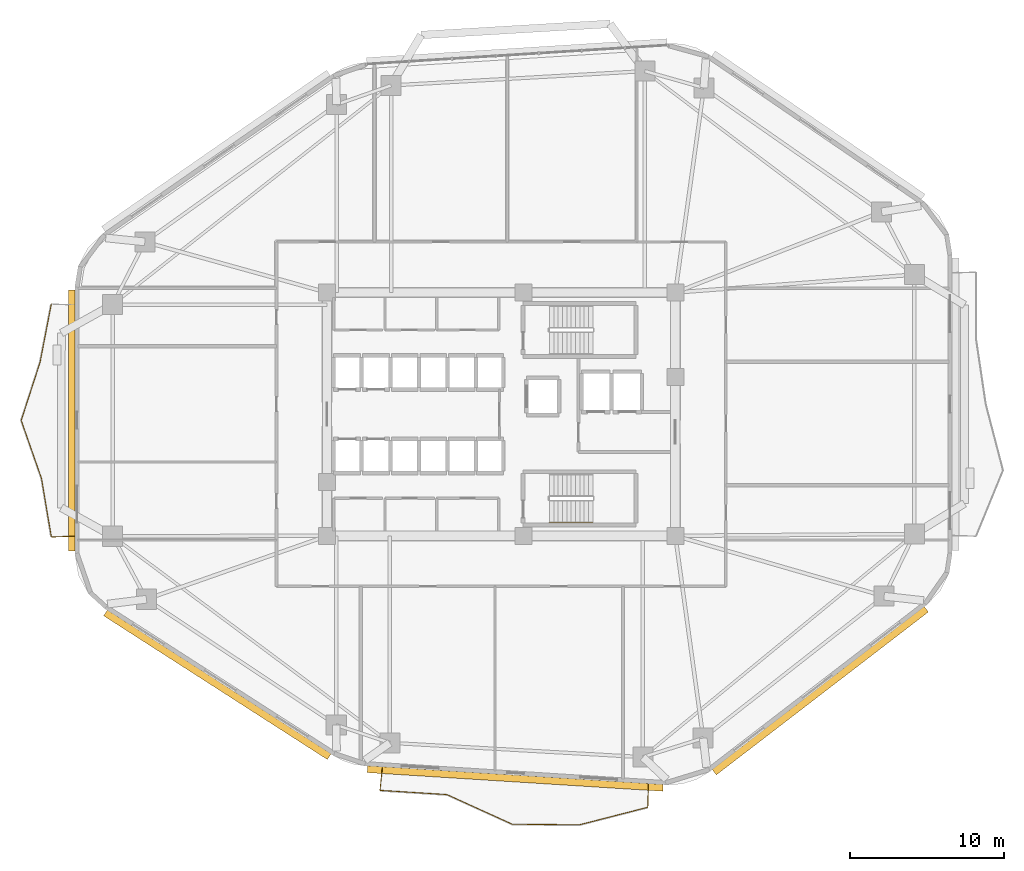
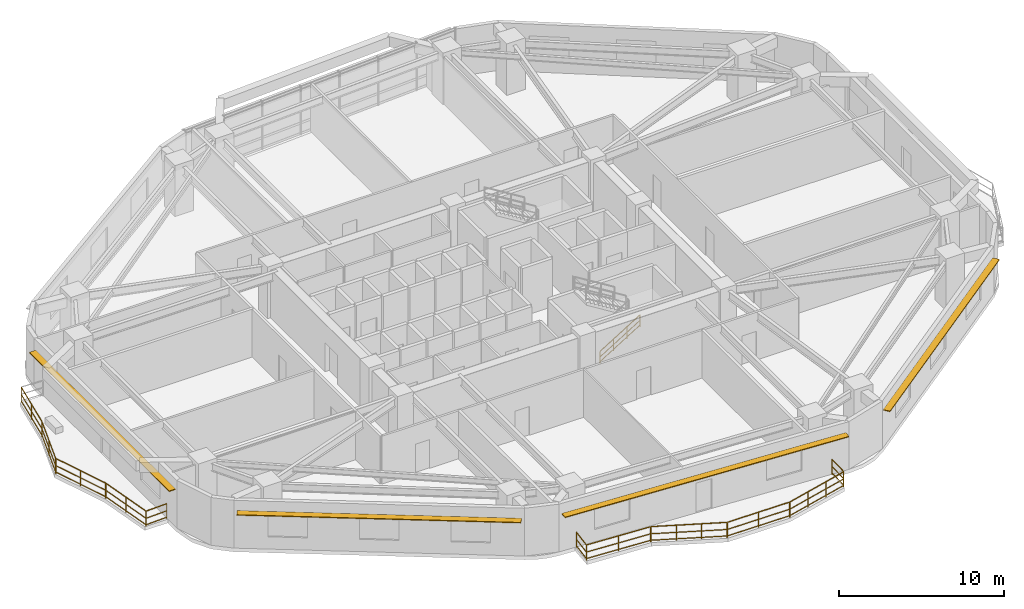
# One storey, part 11 of 14: 12 railings, 4 shading devices.
"""IFC4 building model written with IfcOpenShell, lengths in metres."""

from ifc_helpers import new_model, si_unit, direction, frame, origin, origin_2d, place, context, subcontext, project, spatial, rectangle, extrude, material, layer, layer_set, type_object, element, save


model = new_model("IFC4")

# Units and contexts
model_context = context("Model", 3, precision=1e-05, world=origin(), true_north=direction((0.0, 1.0)))
body_context = subcontext(model_context, "Body", "Model", "MODEL_VIEW")
ifc_project = project(units=[si_unit("LENGTHUNIT", "METRE"), si_unit("AREAUNIT", "SQUARE_METRE"), si_unit("VOLUMEUNIT", "CUBIC_METRE"), si_unit("PLANEANGLEUNIT", "RADIAN"), si_unit("MASSUNIT", "GRAM", prefix="KILO")], contexts=[model_context])

# Site, building, storey
site_placement = place(None, origin())
site = spatial("IfcSite", under=ifc_project, at=site_placement, CompositionType="ELEMENT")
building_placement = place(site_placement, origin())
building = spatial("IfcBuilding", under=site, at=building_placement, Name="Zulverin Broadcast Headquarters", CompositionType="ELEMENT")
storey_placement = place(building_placement, frame((0.0, 0.0, 55.39990234375)))
storey = spatial("IfcBuildingStorey", under=building, at=storey_placement, Name="L13", CompositionType="ELEMENT", Elevation=55.39990234375)

# Railings
ifc_material_1 = material(Name="Brushed stainless steel & laminated glass balustrade", Category="steel")
railing_type_1 = type_object("IfcRailingType", Name="RL-GUARD-1150", PredefinedType="GUARDRAIL", material=ifc_material_1)
railing_1_placement = place(storey_placement, frame((29.3076171875, 2.318603515625, 0.0)))
element("IfcRailing", 1, at=railing_1_placement, inside=storey, type_object=railing_type_1, Name="L13 Vertical-Forest Balcony Guardrail BAL_S Segment 01", PredefinedType="GUARDRAIL", context=body_context, shape_type="SweptSolid", body=[
    extrude(rectangle(XDim=0.048095703125, YDim=0.048095703125, at=origin_2d()), frame((0.0, 0.0, 1.1259765625), z_axis=(-0.103228615139, -0.99465765619, 0.0), x_axis=(0.99465765619, -0.103228615139, 0.0)), (0.0, 0.0, 1.0), 1.46630859375),
    extrude(rectangle(XDim=0.0419921875, YDim=0.0419921875, at=origin_2d()), frame((0.0, 0.0, 0.597900390625), z_axis=(-0.103228615139, -0.99465765619, 0.0), x_axis=(0.99465765619, -0.103228615139, 0.0)), (0.0, 0.0, 1.0), 1.46630859375),
    extrude(rectangle(XDim=0.0419921875, YDim=0.0419921875, at=origin_2d()), frame((0.0, 0.0, 0.1201171875), z_axis=(-0.103228615139, -0.99465765619, 0.0), x_axis=(0.99465765619, -0.103228615139, 0.0)), (0.0, 0.0, 1.0), 1.46630859375),
    extrude(rectangle(XDim=0.0419921875, YDim=0.0419921875, at=origin_2d()), origin(), (0.0, 0.0, 1.0), 1.101806640625),
    extrude(rectangle(XDim=0.0419921875, YDim=0.0419921875, at=origin_2d()), frame((-0.1513671875, -1.45849609375, 0.0)), (0.0, 0.0, 1.0), 1.101806640625),
])
railing_2_placement = place(storey_placement, frame((29.169677734375, 0.84423828125, 0.0)))
element("IfcRailing", 2, at=railing_2_placement, inside=storey, type_object=railing_type_1, Name="L13 Vertical-Forest Balcony Guardrail BAL_S Segment 02", PredefinedType="GUARDRAIL", context=body_context, shape_type="SweptSolid", body=[
    extrude(rectangle(XDim=0.048095703125, YDim=0.048095703125, at=origin_2d()), frame((0.0, 0.0, 1.1259765625), z_axis=(0.998014296805, -0.062987803365, 0.0), x_axis=(0.062987803365, 0.998014296805, 0.0)), (0.0, 0.0, 1.0), 4.31396484375),
    extrude(rectangle(XDim=0.0419921875, YDim=0.0419921875, at=origin_2d()), frame((0.0, 0.0, 0.597900390625), z_axis=(0.998014296805, -0.062987803365, 0.0), x_axis=(0.062987803365, 0.998014296805, 0.0)), (0.0, 0.0, 1.0), 4.31396484375),
    extrude(rectangle(XDim=0.0419921875, YDim=0.0419921875, at=origin_2d()), frame((0.0, 0.0, 0.1201171875), z_axis=(0.998014296805, -0.062987803365, 0.0), x_axis=(0.062987803365, 0.998014296805, 0.0)), (0.0, 0.0, 1.0), 4.31396484375),
    extrude(rectangle(XDim=0.0419921875, YDim=0.0419921875, at=origin_2d()), origin(), (0.0, 0.0, 1.0), 1.101806640625),
    extrude(rectangle(XDim=0.0419921875, YDim=0.0419921875, at=origin_2d()), frame((2.15283203125, -0.1357421875, 0.0)), (0.0, 0.0, 1.0), 1.101806640625),
    extrude(rectangle(XDim=0.0419921875, YDim=0.0419921875, at=origin_2d()), frame((4.305419921875, -0.271728515625, 0.0)), (0.0, 0.0, 1.0), 1.101806640625),
])
railing_3_placement = place(storey_placement, frame((33.50390625, 0.5654296875, 0.0)))
element("IfcRailing", 3, at=railing_3_placement, inside=storey, type_object=railing_type_1, Name="L13 Vertical-Forest Balcony Guardrail BAL_S Segment 03", PredefinedType="GUARDRAIL", context=body_context, shape_type="SweptSolid", body=[
    extrude(rectangle(XDim=0.048095703125, YDim=0.048095703125, at=origin_2d()), frame((0.0, 0.0, 1.1259765625), z_axis=(0.910639731455, -0.413201257859, 0.0), x_axis=(0.413201257859, 0.910639731455, 0.0)), (0.0, 0.0, 1.0), 4.616943359375),
    extrude(rectangle(XDim=0.0419921875, YDim=0.0419921875, at=origin_2d()), frame((0.0, 0.0, 0.597900390625), z_axis=(0.910639731455, -0.413201257859, 0.0), x_axis=(0.413201257859, 0.910639731455, 0.0)), (0.0, 0.0, 1.0), 4.616943359375),
    extrude(rectangle(XDim=0.0419921875, YDim=0.0419921875, at=origin_2d()), frame((0.0, 0.0, 0.1201171875), z_axis=(0.910639731455, -0.413201257859, 0.0), x_axis=(0.413201257859, 0.910639731455, 0.0)), (0.0, 0.0, 1.0), 4.616943359375),
    extrude(rectangle(XDim=0.0419921875, YDim=0.0419921875, at=origin_2d()), origin(), (0.0, 0.0, 1.0), 1.101806640625),
    extrude(rectangle(XDim=0.0419921875, YDim=0.0419921875, at=origin_2d()), frame((1.4013671875, -0.635986328125, 0.0)), (0.0, 0.0, 1.0), 1.101806640625),
    extrude(rectangle(XDim=0.0419921875, YDim=0.0419921875, at=origin_2d()), frame((2.802978515625, -1.271728515625, 0.0)), (0.0, 0.0, 1.0), 1.101806640625),
    extrude(rectangle(XDim=0.0419921875, YDim=0.0419921875, at=origin_2d()), frame((4.204345703125, -1.90771484375, 0.0)), (0.0, 0.0, 1.0), 1.101806640625),
])
railing_4_placement = place(storey_placement, frame((37.737060546875, -1.3486328125, 0.0)))
element("IfcRailing", 4, at=railing_4_placement, inside=storey, type_object=railing_type_1, Name="L13 Vertical-Forest Balcony Guardrail BAL_S Segment 04", PredefinedType="GUARDRAIL", context=body_context, shape_type="SweptSolid", body=[
    extrude(rectangle(XDim=0.048095703125, YDim=0.048095703125, at=origin_2d()), frame((0.0, 0.0, 1.1259765625), z_axis=(0.99996643514, -0.008193204108, 0.0), x_axis=(0.008193204108, 0.99996643514, 0.0)), (0.0, 0.0, 1.0), 4.32080078125),
    extrude(rectangle(XDim=0.0419921875, YDim=0.0419921875, at=origin_2d()), frame((0.0, 0.0, 0.597900390625), z_axis=(0.99996643514, -0.008193204108, 0.0), x_axis=(0.008193204108, 0.99996643514, 0.0)), (0.0, 0.0, 1.0), 4.32080078125),
    extrude(rectangle(XDim=0.0419921875, YDim=0.0419921875, at=origin_2d()), frame((0.0, 0.0, 0.1201171875), z_axis=(0.99996643514, -0.008193204108, 0.0), x_axis=(0.008193204108, 0.99996643514, 0.0)), (0.0, 0.0, 1.0), 4.32080078125),
    extrude(rectangle(XDim=0.0419921875, YDim=0.0419921875, at=origin_2d()), origin(), (0.0, 0.0, 1.0), 1.101806640625),
    extrude(rectangle(XDim=0.0419921875, YDim=0.0419921875, at=origin_2d()), frame((2.16015625, -0.017578125, 0.0)), (0.0, 0.0, 1.0), 1.101806640625),
    extrude(rectangle(XDim=0.0419921875, YDim=0.0419921875, at=origin_2d()), frame((4.320556640625, -0.035400390625, 0.0)), (0.0, 0.0, 1.0), 1.101806640625),
])
railing_5_placement = place(storey_placement, frame((42.087158203125, -1.38037109375, 0.0)))
element("IfcRailing", 5, at=railing_5_placement, inside=storey, type_object=railing_type_1, Name="L13 Vertical-Forest Balcony Guardrail BAL_S Segment 05", PredefinedType="GUARDRAIL", context=body_context, shape_type="SweptSolid", body=[
    extrude(rectangle(XDim=0.048095703125, YDim=0.048095703125, at=origin_2d()), frame((0.0, 0.0, 1.1259765625), z_axis=(0.968604429989, 0.248607035713, 0.0), x_axis=(-0.248607035713, 0.968604429989, 0.0)), (0.0, 0.0, 1.0), 4.5380859375),
    extrude(rectangle(XDim=0.0419921875, YDim=0.0419921875, at=origin_2d()), frame((0.0, 0.0, 0.597900390625), z_axis=(0.968604429989, 0.248607035713, 0.0), x_axis=(-0.248607035713, 0.968604429989, 0.0)), (0.0, 0.0, 1.0), 4.5380859375),
    extrude(rectangle(XDim=0.0419921875, YDim=0.0419921875, at=origin_2d()), frame((0.0, 0.0, 0.1201171875), z_axis=(0.968604429989, 0.248607035713, 0.0), x_axis=(-0.248607035713, 0.968604429989, 0.0)), (0.0, 0.0, 1.0), 4.5380859375),
    extrude(rectangle(XDim=0.0419921875, YDim=0.0419921875, at=origin_2d()), origin(), (0.0, 0.0, 1.0), 1.101806640625),
    extrude(rectangle(XDim=0.0419921875, YDim=0.0419921875, at=origin_2d()), frame((1.465087890625, 0.3759765625, 0.0)), (0.0, 0.0, 1.0), 1.101806640625),
    extrude(rectangle(XDim=0.0419921875, YDim=0.0419921875, at=origin_2d()), frame((2.930419921875, 0.752197265625, 0.0)), (0.0, 0.0, 1.0), 1.101806640625),
    extrude(rectangle(XDim=0.0419921875, YDim=0.0419921875, at=origin_2d()), frame((4.3955078125, 1.128173828125, 0.0)), (0.0, 0.0, 1.0), 1.101806640625),
])
railing_6_placement = place(storey_placement, frame((46.497314453125, -0.233642578125, 0.0)))
element("IfcRailing", 6, at=railing_6_placement, inside=storey, type_object=railing_type_1, Name="L13 Vertical-Forest Balcony Guardrail BAL_S Segment 06", PredefinedType="GUARDRAIL", context=body_context, shape_type="SweptSolid", body=[
    extrude(rectangle(XDim=0.048095703125, YDim=0.048095703125, at=origin_2d()), frame((0.0, 0.0, 1.1259765625), z_axis=(0.022641987457, 0.999743637341, 0.0), x_axis=(-0.999743637341, 0.022641987457, 0.0)), (0.0, 0.0, 1.0), 1.466552734375),
    extrude(rectangle(XDim=0.0419921875, YDim=0.0419921875, at=origin_2d()), frame((0.0, 0.0, 0.597900390625), z_axis=(0.022641987457, 0.999743637341, 0.0), x_axis=(-0.999743637341, 0.022641987457, 0.0)), (0.0, 0.0, 1.0), 1.466552734375),
    extrude(rectangle(XDim=0.0419921875, YDim=0.0419921875, at=origin_2d()), frame((0.0, 0.0, 0.1201171875), z_axis=(0.022641987457, 0.999743637341, 0.0), x_axis=(-0.999743637341, 0.022641987457, 0.0)), (0.0, 0.0, 1.0), 1.466552734375),
    extrude(rectangle(XDim=0.0419921875, YDim=0.0419921875, at=origin_2d()), origin(), (0.0, 0.0, 1.0), 1.101806640625),
    extrude(rectangle(XDim=0.0419921875, YDim=0.0419921875, at=origin_2d()), frame((0.033203125, 1.466064453125, 0.0)), (0.0, 0.0, 1.0), 1.101806640625),
])
railing_7_placement = place(storey_placement, frame((7.877197265625, 32.32958984375, 0.0)))
element("IfcRailing", 7, at=railing_7_placement, inside=storey, type_object=railing_type_1, Name="L13 Vertical-Forest Balcony Guardrail BAL_W Segment 02", PredefinedType="GUARDRAIL", context=body_context, shape_type="SweptSolid", body=[
    extrude(rectangle(XDim=0.048095703125, YDim=0.048095703125, at=origin_2d()), frame((0.0, 0.0, 1.1259765625), z_axis=(-0.189379095055, -0.981904047428, 0.0), x_axis=(0.981904047428, -0.189379095055, 0.0)), (0.0, 0.0, 1.0), 3.814697265625),
    extrude(rectangle(XDim=0.0419921875, YDim=0.0419921875, at=origin_2d()), frame((0.0, 0.0, 0.597900390625), z_axis=(-0.189379095055, -0.981904047428, 0.0), x_axis=(0.981904047428, -0.189379095055, 0.0)), (0.0, 0.0, 1.0), 3.814697265625),
    extrude(rectangle(XDim=0.0419921875, YDim=0.0419921875, at=origin_2d()), frame((0.0, 0.0, 0.1201171875), z_axis=(-0.189379095055, -0.981904047428, 0.0), x_axis=(0.981904047428, -0.189379095055, 0.0)), (0.0, 0.0, 1.0), 3.814697265625),
    extrude(rectangle(XDim=0.0419921875, YDim=0.0419921875, at=origin_2d()), origin(), (0.0, 0.0, 1.0), 1.101806640625),
    extrude(rectangle(XDim=0.0419921875, YDim=0.0419921875, at=origin_2d()), frame((-0.361328125, -1.872802734375, 0.0)), (0.0, 0.0, 1.0), 1.101806640625),
    extrude(rectangle(XDim=0.0419921875, YDim=0.0419921875, at=origin_2d()), frame((-0.722412109375, -3.74560546875, 0.0)), (0.0, 0.0, 1.0), 1.101806640625),
])
railing_8_placement = place(storey_placement, frame((7.1474609375, 28.554931640625, 0.0)))
element("IfcRailing", 8, at=railing_8_placement, inside=storey, type_object=railing_type_1, Name="L13 Vertical-Forest Balcony Guardrail BAL_W Segment 03", PredefinedType="GUARDRAIL", context=body_context, shape_type="SweptSolid", body=[
    extrude(rectangle(XDim=0.048095703125, YDim=0.048095703125, at=origin_2d()), frame((0.0, 0.0, 1.1259765625), z_axis=(-0.307995247277, -0.951387895474, 0.0), x_axis=(0.951387895474, -0.307995247277, 0.0)), (0.0, 0.0, 1.0), 3.93798828125),
    extrude(rectangle(XDim=0.0419921875, YDim=0.0419921875, at=origin_2d()), frame((0.0, 0.0, 0.597900390625), z_axis=(-0.307995247277, -0.951387895474, 0.0), x_axis=(0.951387895474, -0.307995247277, 0.0)), (0.0, 0.0, 1.0), 3.93798828125),
    extrude(rectangle(XDim=0.0419921875, YDim=0.0419921875, at=origin_2d()), frame((0.0, 0.0, 0.1201171875), z_axis=(-0.307995247277, -0.951387895474, 0.0), x_axis=(0.951387895474, -0.307995247277, 0.0)), (0.0, 0.0, 1.0), 3.93798828125),
    extrude(rectangle(XDim=0.0419921875, YDim=0.0419921875, at=origin_2d()), origin(), (0.0, 0.0, 1.0), 1.101806640625),
    extrude(rectangle(XDim=0.0419921875, YDim=0.0419921875, at=origin_2d()), frame((-0.6064453125, -1.873291015625, 0.0)), (0.0, 0.0, 1.0), 1.101806640625),
    extrude(rectangle(XDim=0.0419921875, YDim=0.0419921875, at=origin_2d()), frame((-1.212890625, -3.74658203125, 0.0)), (0.0, 0.0, 1.0), 1.101806640625),
])
railing_9_placement = place(storey_placement, frame((5.934814453125, 24.77978515625, 0.0)))
element("IfcRailing", 9, at=railing_9_placement, inside=storey, type_object=railing_type_1, Name="L13 Vertical-Forest Balcony Guardrail BAL_W Segment 04", PredefinedType="GUARDRAIL", context=body_context, shape_type="SweptSolid", body=[
    extrude(rectangle(XDim=0.048095703125, YDim=0.048095703125, at=origin_2d()), frame((0.0, 0.0, 1.1259765625), z_axis=(0.329832515305, -0.944039465196, 0.0), x_axis=(0.944039465196, 0.329832515305, 0.0)), (0.0, 0.0, 1.0), 3.968994140625),
    extrude(rectangle(XDim=0.0419921875, YDim=0.0419921875, at=origin_2d()), frame((0.0, 0.0, 0.597900390625), z_axis=(0.329832515305, -0.944039465196, 0.0), x_axis=(0.944039465196, 0.329832515305, 0.0)), (0.0, 0.0, 1.0), 3.968994140625),
    extrude(rectangle(XDim=0.0419921875, YDim=0.0419921875, at=origin_2d()), frame((0.0, 0.0, 0.1201171875), z_axis=(0.329832515305, -0.944039465196, 0.0), x_axis=(0.944039465196, 0.329832515305, 0.0)), (0.0, 0.0, 1.0), 3.968994140625),
    extrude(rectangle(XDim=0.0419921875, YDim=0.0419921875, at=origin_2d()), origin(), (0.0, 0.0, 1.0), 1.101806640625),
    extrude(rectangle(XDim=0.0419921875, YDim=0.0419921875, at=origin_2d()), frame((0.654541015625, -1.87353515625, 0.0)), (0.0, 0.0, 1.0), 1.101806640625),
    extrude(rectangle(XDim=0.0419921875, YDim=0.0419921875, at=origin_2d()), frame((1.30908203125, -3.746826171875, 0.0)), (0.0, 0.0, 1.0), 1.101806640625),
])
railing_10_placement = place(storey_placement, frame((7.251220703125, 21.00390625, 0.0)))
element("IfcRailing", 10, at=railing_10_placement, inside=storey, type_object=railing_type_1, Name="L13 Vertical-Forest Balcony Guardrail BAL_W Segment 05", PredefinedType="GUARDRAIL", context=body_context, shape_type="SweptSolid", body=[
    extrude(rectangle(XDim=0.048095703125, YDim=0.048095703125, at=origin_2d()), frame((0.0, 0.0, 1.1259765625), z_axis=(0.164899372021, -0.986310395924, 0.0), x_axis=(0.986310395924, 0.164899372021, 0.0)), (0.0, 0.0, 1.0), 3.797607421875),
    extrude(rectangle(XDim=0.0419921875, YDim=0.0419921875, at=origin_2d()), frame((0.0, 0.0, 0.597900390625), z_axis=(0.164899372021, -0.986310395924, 0.0), x_axis=(0.986310395924, 0.164899372021, 0.0)), (0.0, 0.0, 1.0), 3.797607421875),
    extrude(rectangle(XDim=0.0419921875, YDim=0.0419921875, at=origin_2d()), frame((0.0, 0.0, 0.1201171875), z_axis=(0.164899372021, -0.986310395924, 0.0), x_axis=(0.986310395924, 0.164899372021, 0.0)), (0.0, 0.0, 1.0), 3.797607421875),
    extrude(rectangle(XDim=0.0419921875, YDim=0.0419921875, at=origin_2d()), origin(), (0.0, 0.0, 1.0), 1.101806640625),
    extrude(rectangle(XDim=0.0419921875, YDim=0.0419921875, at=origin_2d()), frame((0.31298828125, -1.872802734375, 0.0)), (0.0, 0.0, 1.0), 1.101806640625),
    extrude(rectangle(XDim=0.0419921875, YDim=0.0419921875, at=origin_2d()), frame((0.626220703125, -3.74560546875, 0.0)), (0.0, 0.0, 1.0), 1.101806640625),
])
railing_11_placement = place(storey_placement, frame((7.89501953125, 17.244140625, 0.0)))
element("IfcRailing", 11, at=railing_11_placement, inside=storey, type_object=railing_type_1, Name="L13 Vertical-Forest Balcony Guardrail BAL_W Segment 06", PredefinedType="GUARDRAIL", context=body_context, shape_type="SweptSolid", body=[
    extrude(rectangle(XDim=0.048095703125, YDim=0.048095703125, at=origin_2d()), frame((0.0, 0.0, 1.1259765625), z_axis=(0.999174410196, 0.040626321628, 0.0), x_axis=(-0.040626321628, 0.999174410196, 0.0)), (0.0, 0.0, 1.0), 1.46630859375),
    extrude(rectangle(XDim=0.0419921875, YDim=0.0419921875, at=origin_2d()), frame((0.0, 0.0, 0.597900390625), z_axis=(0.999174410196, 0.040626321628, 0.0), x_axis=(-0.040626321628, 0.999174410196, 0.0)), (0.0, 0.0, 1.0), 1.46630859375),
    extrude(rectangle(XDim=0.0419921875, YDim=0.0419921875, at=origin_2d()), frame((0.0, 0.0, 0.1201171875), z_axis=(0.999174410196, 0.040626321628, 0.0), x_axis=(-0.040626321628, 0.999174410196, 0.0)), (0.0, 0.0, 1.0), 1.46630859375),
    extrude(rectangle(XDim=0.0419921875, YDim=0.0419921875, at=origin_2d()), origin(), (0.0, 0.0, 1.0), 1.101806640625),
    extrude(rectangle(XDim=0.0419921875, YDim=0.0419921875, at=origin_2d()), frame((1.465087890625, 0.0595703125, 0.0)), (0.0, 0.0, 1.0), 1.101806640625),
])
ifc_material_2 = material(Name="Brushed stainless steel 48 mm handrail", Category="steel")
railing_type_2 = type_object("IfcRailingType", Name="RL-ST-HAND", PredefinedType="HANDRAIL", material=ifc_material_2)
railing_12_placement = place(storey_placement, frame((40.1298828125, 18.199951171875, 0.1728515625)))
element("IfcRailing", 12, at=railing_12_placement, inside=storey, type_object=railing_type_2, Name="L13 ST-2 stair handrail 1", PredefinedType="HANDRAIL", context=body_context, shape_type="SweptSolid", body=[
    extrude(rectangle(XDim=0.048095703125, YDim=0.048095703125, at=origin_2d()), frame((0.0, 0.0, 0.8759765625), z_axis=(0.851089632645, 0.0, 0.525020415988), x_axis=(0.0, 1.0, 0.0)), (0.0, 0.0, 1.0), 3.2900390625),
    extrude(rectangle(XDim=0.0419921875, YDim=0.0419921875, at=origin_2d()), frame((0.0, 0.0, 0.468017578125), z_axis=(0.851089632645, 0.0, 0.525020415988), x_axis=(0.0, 1.0, 0.0)), (0.0, 0.0, 1.0), 3.2900390625),
    extrude(rectangle(XDim=0.0419921875, YDim=0.0419921875, at=origin_2d()), frame((0.0, 0.0, 0.1201171875), z_axis=(0.851089632645, 0.0, 0.525020415988), x_axis=(0.0, 1.0, 0.0)), (0.0, 0.0, 1.0), 3.2900390625),
    extrude(rectangle(XDim=0.0419921875, YDim=0.0419921875, at=origin_2d()), origin(), (0.0, 0.0, 1.0), 0.851806640625),
    extrude(rectangle(XDim=0.0419921875, YDim=0.0419921875, at=origin_2d()), frame((0.933349609375, 0.0, 0.57568359375)), (0.0, 0.0, 1.0), 0.851806640625),
    extrude(rectangle(XDim=0.0419921875, YDim=0.0419921875, at=origin_2d()), frame((1.86669921875, 0.0, 1.151611328125)), (0.0, 0.0, 1.0), 0.851806640625),
    extrude(rectangle(XDim=0.0419921875, YDim=0.0419921875, at=origin_2d()), frame((2.800048828125, 0.0, 1.727294921875)), (0.0, 0.0, 1.0), 0.851806640625),
])

# Shading devices
ifc_material_3 = material(Name="Anodized pale-metal aluminium sunshade", Category="aluminium")
ifc_layer = layer(ifc_material_3, 0.06005859375, Name="Anodized pale-metal aluminium sunshade", Category="aluminium")
ifc_layer_set = layer_set([ifc_layer], Name="Anodized pale-metal aluminium sunshade")
shading_device_type = type_object("IfcShadingDeviceType", Name="SS-01_PALE_METAL_ALUMINIUM_SUNSHADE", PredefinedType="USERDEFINED", material=ifc_layer_set)
shading_device_1_placement = place(storey_placement, frame((37.908935546875, 1.61572265625, 2.7099609375), z_axis=(0.0, 0.0, 1.0), x_axis=(0.998017182581, -0.062942062821, 0.0)))
element("IfcShadingDevice", 13, at=shading_device_1_placement, inside=storey, type_object=shading_device_type, Name="L13 Horizontal Pale-Metal Sunshade Band 1", ObjectType="SUNSHADE", PredefinedType="USERDEFINED", context=body_context, shape_type="SweptSolid", body=[
    extrude(rectangle(XDim=19.177001953125, YDim=0.449951171875, at=origin_2d()), origin(), (0.0, 0.0, 1.0), 0.06005859375),
])
shading_device_2_placement = place(storey_placement, frame((57.658447265625, 7.29833984375, 2.7099609375), z_axis=(0.0, 0.0, 1.0), x_axis=(0.792933468586, 0.609308226102, 0.0)))
element("IfcShadingDevice", 14, at=shading_device_2_placement, inside=storey, type_object=shading_device_type, Name="L13 Horizontal Pale-Metal Sunshade Band 2", ObjectType="SUNSHADE", PredefinedType="USERDEFINED", context=body_context, shape_type="SweptSolid", body=[
    extrude(rectangle(XDim=17.312744140625, YDim=0.449951171875, at=origin_2d()), origin(), (0.0, 0.0, 1.0), 0.06005859375),
])
shading_device_3_placement = place(storey_placement, frame((9.199951171875, 24.7939453125, 2.7099609375), z_axis=(0.0, 0.0, 1.0), x_axis=(0.0, -1.0, 0.0)))
element("IfcShadingDevice", 15, at=shading_device_3_placement, inside=storey, type_object=shading_device_type, Name="L13 Horizontal Pale-Metal Sunshade Band 7", ObjectType="SUNSHADE", PredefinedType="USERDEFINED", context=body_context, shape_type="SweptSolid", body=[
    extrude(rectangle(XDim=16.90087890625, YDim=0.449951171875, at=origin_2d()), origin(), (0.0, 0.0, 1.0), 0.06005859375),
])
shading_device_4_placement = place(storey_placement, frame((18.6298828125, 7.681640625, 2.7099609375), z_axis=(0.0, 0.0, 1.0), x_axis=(0.841296678234, -0.540573676007, 0.0)))
element("IfcShadingDevice", 16, at=shading_device_4_placement, inside=storey, type_object=shading_device_type, Name="L13 Horizontal Pale-Metal Sunshade Band 8", ObjectType="SUNSHADE", PredefinedType="USERDEFINED", context=body_context, shape_type="SweptSolid", body=[
    extrude(rectangle(XDim=17.2119140625, YDim=0.449951171875, at=origin_2d()), origin(), (0.0, 0.0, 1.0), 0.06005859375),
])

save(model, "model.ifc")
